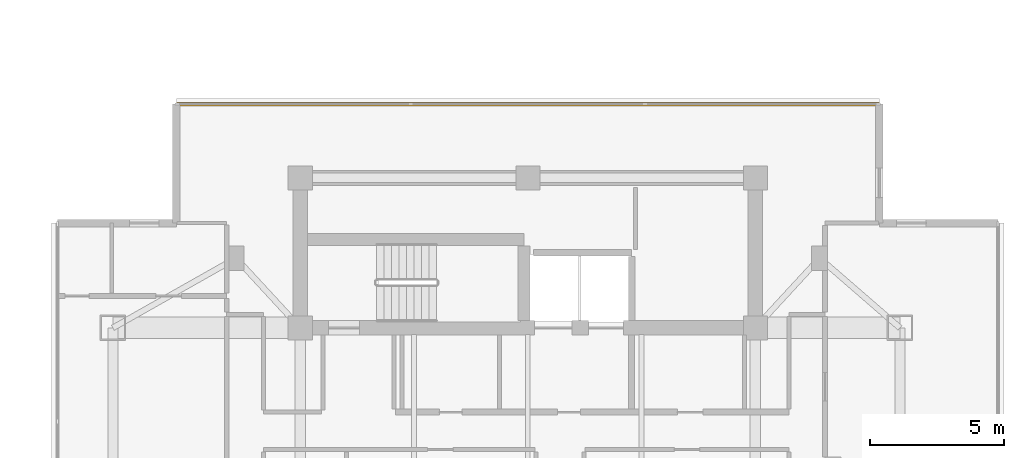
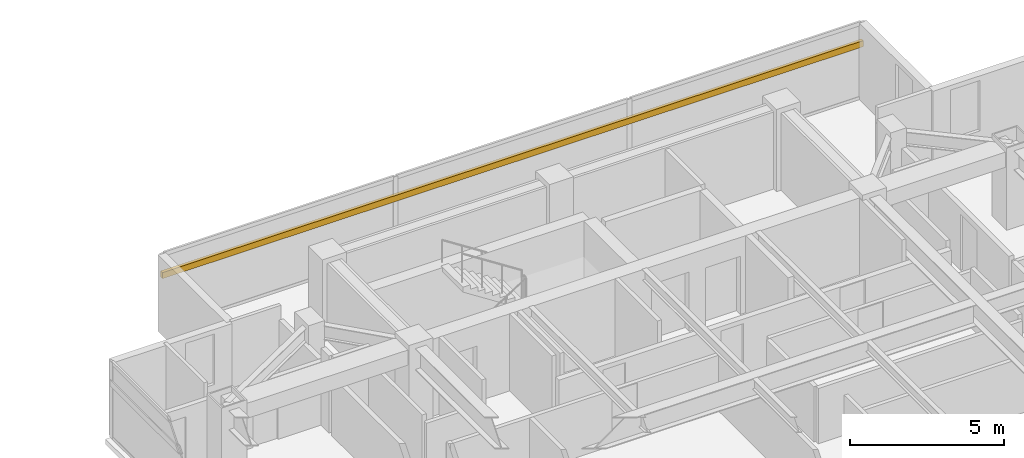
# One storey, part 24 of 24: 1 shading device.
"""IFC4 building model written with IfcOpenShell, lengths in metres."""

from ifc_helpers import new_model, si_unit, direction, frame, origin, origin_2d, place, context, subcontext, project, spatial, rectangle, extrude, material, material_profile, profile_set, type_object, element, save


model = new_model("IFC4")

# Units and contexts
model_context = context("Model", 3, precision=1e-05, world=origin(), true_north=direction((0.0, 1.0)))
body_context = subcontext(model_context, "Body", "Model", "MODEL_VIEW")
ifc_project = project(units=[si_unit("LENGTHUNIT", "METRE"), si_unit("AREAUNIT", "SQUARE_METRE"), si_unit("VOLUMEUNIT", "CUBIC_METRE"), si_unit("PLANEANGLEUNIT", "RADIAN"), si_unit("MASSUNIT", "GRAM", prefix="KILO")], contexts=[model_context])

# Site, building, storey
site_placement = place(None, origin())
site = spatial("IfcSite", under=ifc_project, at=site_placement, CompositionType="ELEMENT")
building_placement = place(site_placement, origin())
building = spatial("IfcBuilding", under=site, at=building_placement, Name="Mirazonda Arch Towers", CompositionType="ELEMENT")
storey_placement = place(building_placement, frame((0.0, 0.0, 199.89990234375)))
storey = spatial("IfcBuildingStorey", under=building, at=storey_placement, Name="L57", CompositionType="ELEMENT", Elevation=199.89990234375)

# Shading device
ifc_material = material(Name="Kiln-Fired Architectural Terracotta", Category="masonry")
ifc_material_profile = material_profile(ifc_material, rectangle(XDim=0.1201171875, YDim=0.239990234375, at=origin_2d()), Name="TERRA-BAG-120x240")
ifc_profile_set = profile_set([ifc_material_profile], Name="Kiln-Fired Architectural Terracotta")
shading_device_type = type_object("IfcShadingDeviceType", Name="BAGUETTE-1", PredefinedType="USERDEFINED", material=ifc_profile_set)
shading_device_placement = place(storey_placement, frame((63.372314453125, 43.554931640625, 2.181640625), z_axis=(1.0, 0.0, 0.0), x_axis=(0.0, 1.0, 0.0)))
element("IfcShadingDevice", 1, at=shading_device_placement, inside=storey, type_object=shading_device_type, Name="L57 Glazed Terracotta Sun-Screen Baguette CW-L57-T2-N", ObjectType="BAGUETTE", PredefinedType="USERDEFINED", context=body_context, shape_type="SweptSolid", body=[
    extrude(rectangle(XDim=0.1201171875, YDim=0.239990234375, at=origin_2d()), origin(), (0.0, 0.0, 1.0), 26.25537109375),
])

save(model, "model.ifc")
